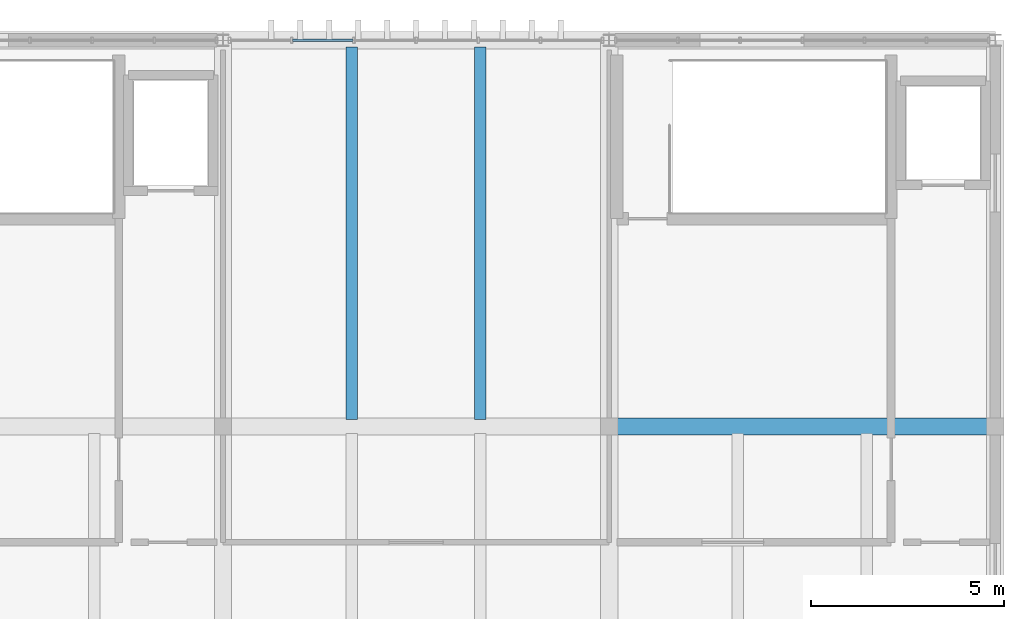
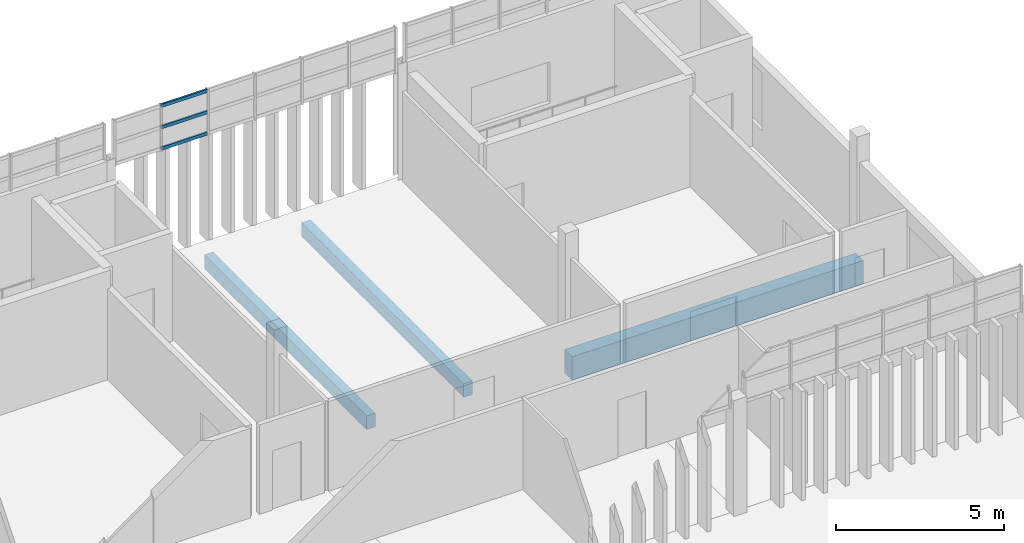
# One storey, part 25 of 36: 3 beams, 3 members, 1 element without a shape of its own.
"""IFC4 building model written with IfcOpenShell, lengths in metres."""

from ifc_helpers import new_model, si_unit, direction, frame, origin, origin_2d, place, context, subcontext, project, spatial, rectangle, hollow_rectangle, extrude, material, layer, layer_set, material_profile, profile_set, type_object, element, aggregate, save


model = new_model("IFC4")

# Units and contexts
model_context = context("Model", 3, precision=1e-05, world=origin(), true_north=direction((0.0, 1.0)))
body_context = subcontext(model_context, "Body", "Model", "MODEL_VIEW")
ifc_project = project(units=[si_unit("LENGTHUNIT", "METRE"), si_unit("AREAUNIT", "SQUARE_METRE"), si_unit("VOLUMEUNIT", "CUBIC_METRE"), si_unit("PLANEANGLEUNIT", "RADIAN"), si_unit("MASSUNIT", "GRAM", prefix="KILO")], contexts=[model_context])

# Site, building, storey
site_placement = place(None, origin())
site = spatial("IfcSite", under=ifc_project, at=site_placement, CompositionType="ELEMENT")
building_placement = place(site_placement, origin())
building = spatial("IfcBuilding", under=site, at=building_placement, Name="Mersad Railyard Sports Hall", CompositionType="ELEMENT")
storey_placement = place(building_placement, frame((0.0, 0.0, 21.60009765625)))
storey = spatial("IfcBuildingStorey", under=building, at=storey_placement, Name="L05", CompositionType="ELEMENT", Elevation=21.60009765625)

# Curtain wall, members
ifc_material_1 = material(Name="Aluminium 6063-T6", Category="aluminium")
ifc_layer = layer(ifc_material_1, 0.159912109375)
ifc_layer_set = layer_set([ifc_layer], Name="Aluminium 6063-T6")
curtain_wall_type = type_object("IfcCurtainWallType", Name="ARC-CW-CW51", PredefinedType="USERDEFINED", material=ifc_layer_set)
curtain_wall_placement = place(storey_placement, origin())
curtain_wall = element("IfcCurtainWall", 1, at=curtain_wall_placement, inside=storey, type_object=curtain_wall_type, Name="Curtain wall CW51-0135", ObjectType="CURTAIN WALL", PredefinedType="USERDEFINED")
ifc_material_profile_1 = material_profile(ifc_material_1, hollow_rectangle(XDim=0.06005859375, YDim=0.1201171875, WallThickness=0.00390625, at=origin_2d()), Name="AL TRANSOM 60x120x4")
ifc_profile_set_1 = profile_set([ifc_material_profile_1], Name="Aluminium 6063-T6")
member_type = type_object("IfcMemberType", Name="ARC-CW-TRN01", PredefinedType="USERDEFINED", material=ifc_profile_set_1)
member_1_placement = place(storey_placement, frame((102.800048828125, 115.0, 3.889892578125), z_axis=(1.0, 0.0, 0.0), x_axis=(0.0, 1.0, 0.0)))
member_1 = element("IfcMember", 2, at=member_1_placement, type_object=member_type, Name="CW51 Transom 1-2", ObjectType="TRANSOM", PredefinedType="USERDEFINED", context=body_context, shape_type="SweptSolid", body=[
    extrude(hollow_rectangle(XDim=0.06005859375, YDim=0.1201171875, WallThickness=0.00390625, at=origin_2d()), origin(), (0.0, 0.0, 1.0), 1.570068359375),
])
member_2_placement = place(storey_placement, frame((102.800048828125, 115.0, 4.664794921875), z_axis=(1.0, 0.0, 0.0), x_axis=(0.0, 1.0, 0.0)))
member_2 = element("IfcMember", 3, at=member_2_placement, type_object=member_type, Name="CW51 Transom 2-2", ObjectType="TRANSOM", PredefinedType="USERDEFINED", context=body_context, shape_type="SweptSolid", body=[
    extrude(hollow_rectangle(XDim=0.06005859375, YDim=0.1201171875, WallThickness=0.00390625, at=origin_2d()), origin(), (0.0, 0.0, 1.0), 1.570068359375),
])
member_3_placement = place(storey_placement, frame((102.800048828125, 115.0, 5.43994140625), z_axis=(1.0, 0.0, 0.0), x_axis=(0.0, 1.0, 0.0)))
member_3 = element("IfcMember", 4, at=member_3_placement, type_object=member_type, Name="CW51 Transom 3-2", ObjectType="TRANSOM", PredefinedType="USERDEFINED", context=body_context, shape_type="SweptSolid", body=[
    extrude(hollow_rectangle(XDim=0.06005859375, YDim=0.1201171875, WallThickness=0.00390625, at=origin_2d()), origin(), (0.0, 0.0, 1.0), 1.570068359375),
])
aggregate(curtain_wall, [member_1, member_2, member_3])

# Beams
ifc_material_2 = material(Name="Concrete C40/50", Category="concrete")
ifc_material_profile_2 = material_profile(ifc_material_2, rectangle(XDim=0.449951171875, YDim=0.85009765625, at=origin_2d()), Name="RC 450x850")
ifc_profile_set_2 = profile_set([ifc_material_profile_2], Name="Concrete C40/50")
beam_type_1 = type_object("IfcBeamType", Name="STR-BM-B02", PredefinedType="BEAM", material=ifc_profile_set_2)
beam_placement = place(storey_placement, frame((111.0, 105.0, -0.775146484375), z_axis=(1.0, 0.0, 0.0), x_axis=(0.0, 1.0, 0.0)))
element("IfcBeam", 5, at=beam_placement, inside=storey, type_object=beam_type_1, Name="Beam B02-1420", PredefinedType="BEAM", context=body_context, shape_type="SweptSolid", body=[
    extrude(rectangle(XDim=0.449951171875, YDim=0.85009765625, at=origin_2d()), origin(), (0.0, 0.0, 1.0), 10.0),
])
ifc_material_profile_3 = material_profile(ifc_material_2, rectangle(XDim=0.300048828125, YDim=0.5, at=origin_2d()), Name="RC 300x500")
ifc_profile_set_3 = profile_set([ifc_material_profile_3], Name="Concrete C40/50")
beam_type_2 = type_object("IfcBeamType", Name="STR-BM-LN01", PredefinedType="LINTEL", material=ifc_profile_set_3)
for number, where, z_axis, x_axis, name in (
    (6, (104.3330078125, 105.179931640625, -0.60009765625), (0.0, 1.0, 0.0), (-1.0, 0.0, 0.0), "Beam LN01-1473"),
    (7, (107.6669921875, 105.179931640625, -0.60009765625), (0.0, 1.0, 0.0), (-1.0, 0.0, 0.0), "Beam LN01-1474"),
):
    element("IfcBeam", number, at=place(storey_placement, frame(where, z_axis=z_axis, x_axis=x_axis)), inside=storey, type_object=beam_type_2, Name=name, PredefinedType="LINTEL", context=body_context, shape_type="SweptSolid", body=[
        extrude(rectangle(XDim=0.300048828125, YDim=0.5, at=origin_2d()), origin(), (0.0, 0.0, 1.0), 9.64013671875),
    ])

save(model, "model.ifc")
